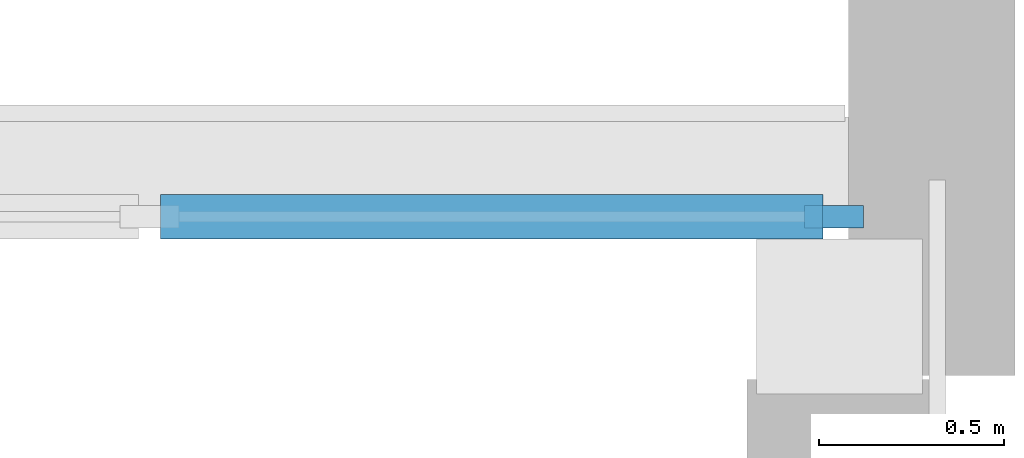
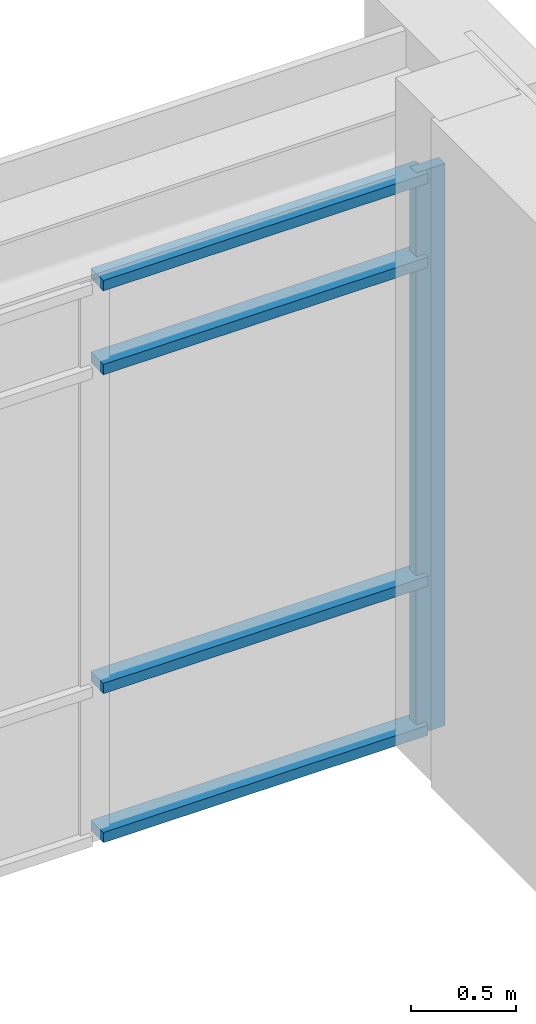
# One storey, part 22 of 45: 5 members, 1 element without a shape of its own.
"""IFC4 building model written with IfcOpenShell, lengths in metres."""

from ifc_helpers import new_model, si_unit, direction, frame, origin, origin_2d, place, context, subcontext, project, spatial, rectangle, extrude, material, layer, layer_set, material_profile, profile_set, type_object, element, aggregate, save


model = new_model("IFC4")

# Units and contexts
model_context = context("Model", 3, precision=1e-05, world=origin(), true_north=direction((0.0, 1.0)))
body_context = subcontext(model_context, "Body", "Model", "MODEL_VIEW")
ifc_project = project(units=[si_unit("LENGTHUNIT", "METRE"), si_unit("AREAUNIT", "SQUARE_METRE"), si_unit("VOLUMEUNIT", "CUBIC_METRE"), si_unit("PLANEANGLEUNIT", "RADIAN"), si_unit("MASSUNIT", "GRAM", prefix="KILO")], contexts=[model_context])

# Site, building, storey
site_placement = place(None, origin())
site = spatial("IfcSite", under=ifc_project, at=site_placement, CompositionType="ELEMENT")
building_placement = place(site_placement, origin())
building = spatial("IfcBuilding", under=site, at=building_placement, Name="Valkorina Park Police Headquarters", CompositionType="ELEMENT")
storey_placement = place(building_placement, frame((0.0, 0.0, 23.300048828125)))
storey = spatial("IfcBuildingStorey", under=building, at=storey_placement, Name="L06", CompositionType="ELEMENT", Elevation=23.300048828125)

# Curtain wall, members
ifc_material = material(Name="Thermally broken aluminium AW-6060", Category="aluminium")
ifc_layer = layer(ifc_material, 0.18994140625)
ifc_layer_set = layer_set([ifc_layer], Name="Thermally broken aluminium AW-6060")
curtain_wall_type = type_object("IfcCurtainWallType", Name="CW-CMD-7530x3280", PredefinedType="NOTDEFINED", material=ifc_layer_set)
curtain_wall_placement = place(storey_placement, origin())
curtain_wall = element("IfcCurtainWall", 1, at=curtain_wall_placement, inside=storey, type_object=curtain_wall_type, Name="L06 Unitised Curtain Wall 115", PredefinedType="NOTDEFINED")
ifc_material_profile_1 = material_profile(ifc_material, rectangle(XDim=0.06005859375, YDim=0.159912109375, at=origin_2d()), Name="CWM-01 60x160")
ifc_profile_set_1 = profile_set([ifc_material_profile_1], Name="Thermally broken aluminium AW-6060")
member_type_1 = type_object("IfcMemberType", Name="CWM-60x160", PredefinedType="MULLION", material=ifc_profile_set_1)
member_1_placement = place(storey_placement, frame((128.534912109375, 81.280029296875, 0.0), z_axis=(0.0, 0.0, 1.0), x_axis=(0.0, 1.0, 0.0)))
member_1 = element("IfcMember", 2, at=member_1_placement, type_object=member_type_1, Name="CW-CMD-753-328 mullion 5", PredefinedType="MULLION", context=body_context, shape_type="SweptSolid", body=[
    extrude(rectangle(XDim=0.06005859375, YDim=0.159912109375, at=origin_2d()), origin(), (0.0, 0.0, 1.0), 3.280029296875),
])
ifc_material_profile_2 = material_profile(ifc_material, rectangle(XDim=0.1201171875, YDim=0.06005859375, at=origin_2d()), Name="CWT-01 120x60")
ifc_profile_set_2 = profile_set([ifc_material_profile_2], Name="Thermally broken aluminium AW-6060")
member_type_2 = type_object("IfcMemberType", Name="CWT-120x60", PredefinedType="USERDEFINED", material=ifc_profile_set_2)
member_2_placement = place(storey_placement, frame((126.71240234375, 81.280029296875, 0.030029296875), z_axis=(1.0, 0.0, 0.0), x_axis=(0.0, 1.0, 0.0)))
member_2 = element("IfcMember", 3, at=member_2_placement, type_object=member_type_2, Name="CW-CMD-753-328 transom 4.1", ObjectType="TRANSOM", PredefinedType="USERDEFINED", context=body_context, shape_type="SweptSolid", body=[
    extrude(rectangle(XDim=0.1201171875, YDim=0.06005859375, at=origin_2d()), origin(), (0.0, 0.0, 1.0), 1.79248046875),
])
member_3_placement = place(storey_placement, frame((126.71240234375, 81.280029296875, 0.89990234375), z_axis=(1.0, 0.0, 0.0), x_axis=(0.0, 1.0, 0.0)))
member_3 = element("IfcMember", 4, at=member_3_placement, type_object=member_type_2, Name="CW-CMD-753-328 transom 4.2", ObjectType="TRANSOM", PredefinedType="USERDEFINED", context=body_context, shape_type="SweptSolid", body=[
    extrude(rectangle(XDim=0.1201171875, YDim=0.06005859375, at=origin_2d()), origin(), (0.0, 0.0, 1.0), 1.79248046875),
])
member_4_placement = place(storey_placement, frame((126.71240234375, 81.280029296875, 2.760009765625), z_axis=(1.0, 0.0, 0.0), x_axis=(0.0, 1.0, 0.0)))
member_4 = element("IfcMember", 5, at=member_4_placement, type_object=member_type_2, Name="CW-CMD-753-328 transom 4.3", ObjectType="TRANSOM", PredefinedType="USERDEFINED", context=body_context, shape_type="SweptSolid", body=[
    extrude(rectangle(XDim=0.1201171875, YDim=0.06005859375, at=origin_2d()), origin(), (0.0, 0.0, 1.0), 1.79248046875),
])
member_5_placement = place(storey_placement, frame((126.71240234375, 81.280029296875, 3.25), z_axis=(1.0, 0.0, 0.0), x_axis=(0.0, 1.0, 0.0)))
member_5 = element("IfcMember", 6, at=member_5_placement, type_object=member_type_2, Name="CW-CMD-753-328 transom 4.4", ObjectType="TRANSOM", PredefinedType="USERDEFINED", context=body_context, shape_type="SweptSolid", body=[
    extrude(rectangle(XDim=0.1201171875, YDim=0.06005859375, at=origin_2d()), origin(), (0.0, 0.0, 1.0), 1.79248046875),
])
aggregate(curtain_wall, [member_1, member_2, member_3, member_4, member_5])

save(model, "model.ifc")
